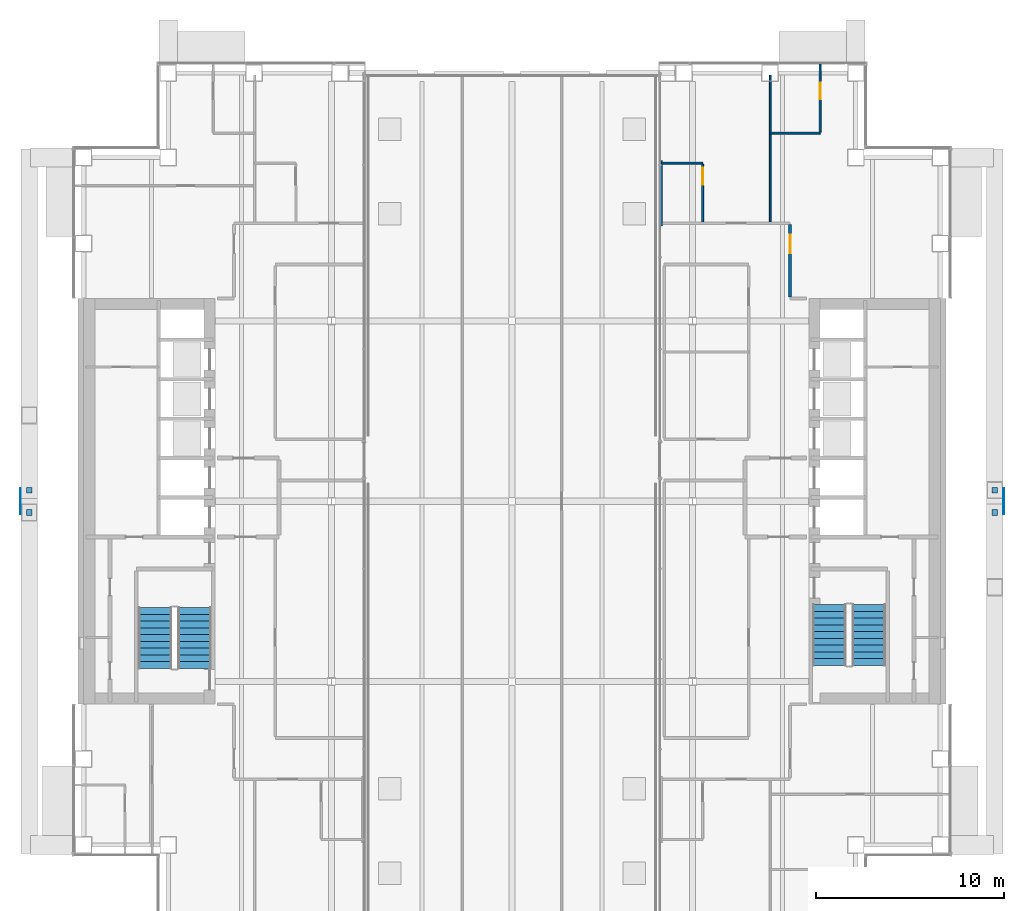
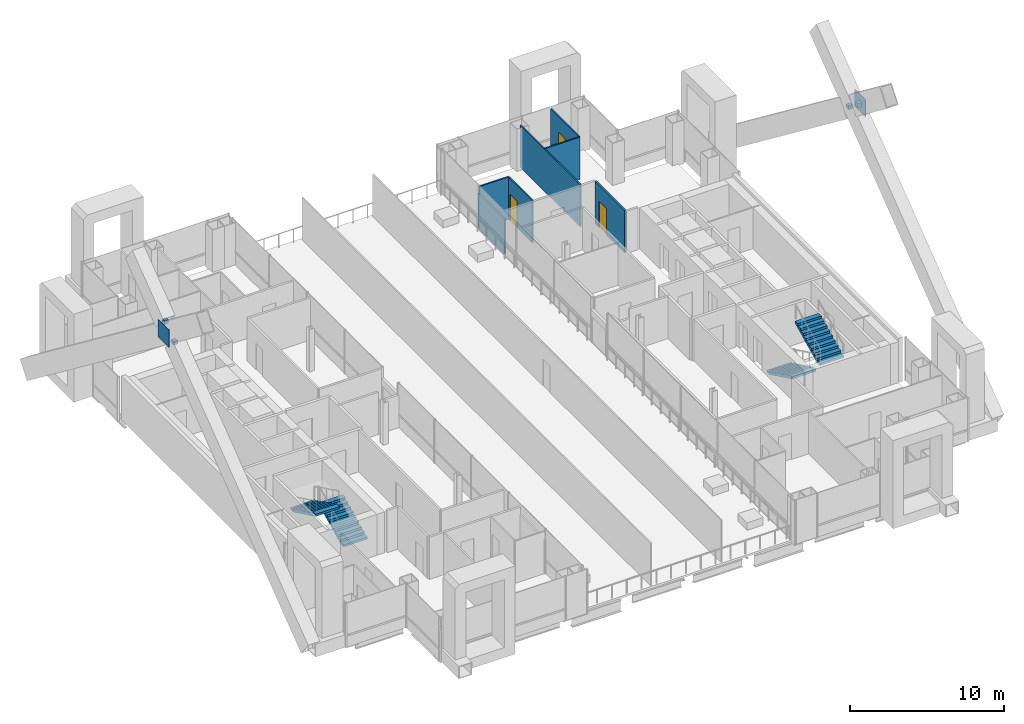
# One storey, part 16 of 20: 7 walls, 6 discrete accessories, 4 stair flights, 3 doors, 3 openings, 2 elements without a shape of their own.
"""IFC4 building model written with IfcOpenShell, lengths in metres."""

from ifc_helpers import new_model, si_unit, direction, frame, frame_2d, origin, origin_2d, place, context, subcontext, project, spatial, polyline, rectangle, outline, extrude, material, layer, layer_set, type_object, element, fill, aggregate, save


model = new_model("IFC4")

# Units and contexts
model_context = context("Model", 3, precision=1e-05, world=origin(), true_north=direction((0.0, 1.0)))
body_context = subcontext(model_context, "Body", "Model", "MODEL_VIEW")
ifc_project = project(units=[si_unit("LENGTHUNIT", "METRE"), si_unit("AREAUNIT", "SQUARE_METRE"), si_unit("VOLUMEUNIT", "CUBIC_METRE"), si_unit("PLANEANGLEUNIT", "RADIAN"), si_unit("MASSUNIT", "GRAM", prefix="KILO")], contexts=[model_context])

# Site, building, storey
site_placement = place(None, origin())
site = spatial("IfcSite", under=ifc_project, at=site_placement, CompositionType="ELEMENT")
building_placement = place(site_placement, origin())
building = spatial("IfcBuilding", under=site, at=building_placement, Name="Cobrizo Arcos Hotel Tower", CompositionType="ELEMENT")
storey_placement = place(building_placement, frame((0.0, 0.0, 117.0)))
storey = spatial("IfcBuildingStorey", under=building, at=storey_placement, Name="L29", CompositionType="ELEMENT", Elevation=117.0)

# Wall, opening, door
ifc_material_1 = material(Name="Gypsum board partition")
ifc_layer_1 = layer(ifc_material_1, 0.14990234375)
ifc_layer_set_1 = layer_set([ifc_layer_1], Name="Corridor wall EI 60 150")
wall_type_1 = type_object("IfcWallType", Name="Corridor wall EI 60 150", PredefinedType="PARTITIONING", material=ifc_layer_set_1)
wall_1_placement = place(storey_placement, frame((14.800048828125, 10.875, 0.0), z_axis=(0.0, 0.0, 1.0), x_axis=(0.0, 1.0, 0.0)))
wall_1 = element("IfcWall", 1, at=wall_1_placement, inside=storey, type_object=wall_type_1, Name="Partition 082", PredefinedType="PARTITIONING", context=body_context, shape_type="SweptSolid", body=[
    extrude(rectangle(XDim=3.85009765625, YDim=0.14990234375, at=frame_2d((1.925048828125, 0.0))), origin(), (0.0, 0.0, 1.0), 3.35009765625),
])
opening_1_placement = place(wall_1_placement, frame((2.324951171875, 0.0, 0.0)))
opening_1 = element("IfcOpeningElement", 2, at=opening_1_placement, cuts=wall_1, Name="Opening GD-08", PredefinedType="OPENING", context=body_context, shape_type="SweptSolid", body=[
    extrude(rectangle(XDim=1.0, YDim=2.10009765625, at=frame_2d((0.5, 1.050048828125))), frame((0.0, 0.0869140625, 0.0), z_axis=(0.0, -1.0, 0.0), x_axis=(1.0, 0.0, 0.0)), (0.0, 0.0, 1.0), 0.173828125),
])
ifc_material_2 = material(Name="Timber door leaf", Category="wood")
door_type_1 = type_object("IfcDoorType", Name="Guest room door FD30S 1000x2100", OperationType="SINGLE_SWING_LEFT", PredefinedType="DOOR", material=ifc_material_2)
door_1_placement = place(opening_1_placement, origin())
door_1 = element("IfcDoor", 3, at=door_1_placement, inside=storey, type_object=door_type_1, Name="Door GD-08", OperationType="SINGLE_SWING_LEFT", OverallHeight=2.10009765625, OverallWidth=1.0, PredefinedType="DOOR", context=body_context, shape_type="SweptSolid", body=[
    extrude(rectangle(XDim=1.0, YDim=2.10009765625, at=frame_2d((0.5, 1.050048828125))), frame((0.0, 0.02490234375, 0.0), z_axis=(0.0, -1.0, 0.0), x_axis=(1.0, 0.0, 0.0)), (0.0, 0.0, 1.0), 0.050048828125),
])
fill(opening_1, door_1)

# Walls
ifc_layer_2 = layer(ifc_material_1, 0.10009765625)
ifc_layer_set_2 = layer_set([ifc_layer_2], Name="Partition EI 30 100")
wall_type_2 = type_object("IfcWallType", Name="Partition EI 30 100", PredefinedType="PARTITIONING", material=ifc_layer_set_2)
wall_2_placement = place(storey_placement, frame((7.949951171875, 18.0, 0.0), z_axis=(0.0, 0.0, 1.0), x_axis=(1.0, 0.0, 0.0)))
element("IfcWall", 4, at=wall_2_placement, inside=storey, type_object=wall_type_2, Name="Partition 049", PredefinedType="PARTITIONING", context=body_context, shape_type="SweptSolid", body=[
    extrude(rectangle(XDim=2.199951171875, YDim=0.10009765625, at=frame_2d((1.10009765625, 0.0))), origin(), (0.0, 0.0, 1.0), 3.35009765625),
])
wall_3_placement = place(storey_placement, frame((13.75, 19.60009765625, 0.0), z_axis=(0.0, 0.0, 1.0), x_axis=(1.0, 0.0, 0.0)))
element("IfcWall", 5, at=wall_3_placement, inside=storey, type_object=wall_type_2, Name="Partition 051", PredefinedType="PARTITIONING", context=body_context, shape_type="SweptSolid", body=[
    extrude(rectangle(XDim=2.64990234375, YDim=0.10009765625, at=frame_2d((1.324951171875, 0.0))), origin(), (0.0, 0.0, 1.0), 3.35009765625),
])
wall_4_placement = place(storey_placement, frame((7.949951171875, 14.659912109375, 0.0), z_axis=(0.0, 0.0, 1.0), x_axis=(0.0, 1.0, 0.0)))
element("IfcWall", 6, at=wall_4_placement, inside=storey, type_object=wall_type_2, Name="Partition 071", PredefinedType="PARTITIONING", context=body_context, shape_type="SweptSolid", body=[
    extrude(rectangle(XDim=3.47998046875, YDim=0.10009765625, at=frame_2d((1.739990234375, 0.0))), origin(), (0.0, 0.0, 1.0), 2.73291015625),
])

# Wall, opening, door
wall_5_placement = place(storey_placement, frame((10.14990234375, 14.875, 0.0), z_axis=(0.0, 0.0, 1.0), x_axis=(0.0, 1.0, 0.0)))
wall_5 = element("IfcWall", 7, at=wall_5_placement, inside=storey, type_object=wall_type_2, Name="Partition 075", PredefinedType="PARTITIONING", context=body_context, shape_type="SweptSolid", body=[
    extrude(rectangle(XDim=3.074951171875, YDim=0.10009765625, at=frame_2d((1.53759765625, 0.0))), origin(), (0.0, 0.0, 1.0), 3.35009765625),
])
opening_2_placement = place(wall_5_placement, frame((1.970947265625, 0.0, 0.0)))
opening_2 = element("IfcOpeningElement", 8, at=opening_2_placement, cuts=wall_5, Name="Opening ED-03", PredefinedType="OPENING", context=body_context, shape_type="SweptSolid", body=[
    extrude(rectangle(XDim=0.89990234375, YDim=2.10009765625, at=frame_2d((0.449951171875, 1.050048828125))), frame((0.0, 0.06201171875, 0.0), z_axis=(0.0, -1.0, 0.0), x_axis=(1.0, 0.0, 0.0)), (0.0, 0.0, 1.0), 0.1240234375),
])
door_type_2 = type_object("IfcDoorType", Name="En-suite door 900x2100", OperationType="SINGLE_SWING_LEFT", PredefinedType="DOOR", material=ifc_material_2)
door_2_placement = place(opening_2_placement, origin())
door_2 = element("IfcDoor", 9, at=door_2_placement, inside=storey, type_object=door_type_2, Name="Door ED-03", OperationType="SINGLE_SWING_RIGHT", OverallHeight=2.10009765625, OverallWidth=0.89990234375, PredefinedType="DOOR", context=body_context, shape_type="SweptSolid", body=[
    extrude(rectangle(XDim=0.89990234375, YDim=2.10009765625, at=frame_2d((0.449951171875, 1.050048828125))), frame((0.0, 0.02490234375, 0.0), z_axis=(0.0, -1.0, 0.0), x_axis=(1.0, 0.0, 0.0)), (0.0, 0.0, 1.0), 0.050048828125),
])
fill(opening_2, door_2)

# Wall
wall_6_placement = place(storey_placement, frame((13.75, 14.875, 0.0), z_axis=(0.0, 0.0, 1.0), x_axis=(0.0, 1.0, 0.0)))
element("IfcWall", 10, at=wall_6_placement, inside=storey, type_object=wall_type_2, Name="Partition 080", PredefinedType="PARTITIONING", context=body_context, shape_type="SweptSolid", body=[
    extrude(rectangle(XDim=7.804931640625, YDim=0.10009765625, at=frame_2d((3.90234375, 0.0))), origin(), (0.0, 0.0, 1.0), 3.35009765625),
])

# Wall, opening, door
wall_7_placement = place(storey_placement, frame((16.39990234375, 19.64990234375, 0.0), z_axis=(0.0, 0.0, 1.0), x_axis=(0.0, 1.0, 0.0)))
wall_7 = element("IfcWall", 11, at=wall_7_placement, inside=storey, type_object=wall_type_2, Name="Partition 084", PredefinedType="PARTITIONING", context=body_context, shape_type="SweptSolid", body=[
    extrude(rectangle(XDim=3.630126953125, YDim=0.10009765625, at=frame_2d((1.81494140625, 0.0))), origin(), (0.0, 0.0, 1.0), 3.35009765625),
])
opening_3_placement = place(wall_7_placement, frame((1.739990234375, 0.0, 0.0)))
opening_3 = element("IfcOpeningElement", 12, at=opening_3_placement, cuts=wall_7, Name="Opening ED-10", PredefinedType="OPENING", context=body_context, shape_type="SweptSolid", body=[
    extrude(rectangle(XDim=0.89990234375, YDim=2.10009765625, at=frame_2d((0.449951171875, 1.050048828125))), frame((0.0, 0.06201171875, 0.0), z_axis=(0.0, -1.0, 0.0), x_axis=(1.0, 0.0, 0.0)), (0.0, 0.0, 1.0), 0.1240234375),
])
door_3_placement = place(opening_3_placement, origin())
door_3 = element("IfcDoor", 13, at=door_3_placement, inside=storey, type_object=door_type_2, Name="Door ED-10", OperationType="SINGLE_SWING_RIGHT", OverallHeight=2.10009765625, OverallWidth=0.89990234375, PredefinedType="DOOR", context=body_context, shape_type="SweptSolid", body=[
    extrude(rectangle(XDim=0.89990234375, YDim=2.10009765625, at=frame_2d((0.449951171875, 1.050048828125))), frame((0.0, 0.02490234375, 0.0), z_axis=(0.0, -1.0, 0.0), x_axis=(1.0, 0.0, 0.0)), (0.0, 0.0, 1.0), 0.050048828125),
])
fill(opening_3, door_3)

# Stair, stair flights
ifc_material_3 = material(Name="Concrete f'c 40 MPa", Category="concrete")
stair_type = type_object("IfcStairType", Name="Exit stair", PredefinedType="HALF_TURN_STAIR", material=ifc_material_3)
stair_1_placement = place(storey_placement, origin())
stair_1 = element("IfcStair", 14, at=stair_1_placement, inside=storey, type_object=stair_type, Name="L29 Exit stair ST-W", PredefinedType="HALF_TURN_STAIR")
stair_flight_type = type_object("IfcStairFlightType", Name="Exit stair flight", PredefinedType="STRAIGHT", material=ifc_material_3)
stair_flight_1_placement = place(storey_placement, frame((-16.89990234375, -8.89990234375, 0.0), z_axis=(0.0, 0.0, 1.0), x_axis=(0.0, 1.0, 0.0)))
stair_flight_1 = element("IfcStairFlight", 15, at=stair_flight_1_placement, type_object=stair_flight_type, Name="ST-W flight 1", NumberOfRisers=10, NumberOfTreads=9, PredefinedType="STRAIGHT", RiserHeight=0.175, TreadLength=0.36, context=body_context, shape_type="SweptSolid", body=[
    extrude(outline(polyline([(0.0, 0.0), (0.0, 0.175048828125), (0.360107421875, 0.175048828125), (0.360107421875, 0.35009765625), (0.719970703125, 0.35009765625), (0.719970703125, 0.52490234375), (1.080078125, 0.52490234375), (1.080078125, 0.699951171875), (1.43994140625, 0.699951171875), (1.43994140625, 0.875), (1.800048828125, 0.875), (1.800048828125, 1.050048828125), (2.159912109375, 1.050048828125), (2.159912109375, 1.22509765625), (2.52001953125, 1.22509765625), (2.52001953125, 1.39990234375), (2.8798828125, 1.39990234375), (2.8798828125, 1.574951171875), (3.239990234375, 1.574951171875), (3.239990234375, 1.75), (3.239990234375, 1.408203125), (0.3427734375, 0.0), (0.0, 0.0)])), frame((0.0, 0.89990234375, 0.0), z_axis=(0.0, -1.0, 0.0), x_axis=(1.0, 0.0, 0.0)), (0.0, 0.0, 1.0), 1.800048828125),
])
stair_flight_2_placement = place(storey_placement, frame((-19.0, -5.659912109375, 1.75), z_axis=(0.0, 0.0, 1.0), x_axis=(0.0, -1.0, 0.0)))
stair_flight_2 = element("IfcStairFlight", 16, at=stair_flight_2_placement, type_object=stair_flight_type, Name="ST-W flight 2", NumberOfRisers=10, NumberOfTreads=9, PredefinedType="STRAIGHT", RiserHeight=0.175, TreadLength=0.36, context=body_context, shape_type="SweptSolid", body=[
    extrude(outline(polyline([(0.0, 0.0), (0.0, 0.175048828125), (0.360107421875, 0.175048828125), (0.360107421875, 0.35009765625), (0.719970703125, 0.35009765625), (0.719970703125, 0.52490234375), (1.080078125, 0.52490234375), (1.080078125, 0.699951171875), (1.43994140625, 0.699951171875), (1.43994140625, 0.875), (1.800048828125, 0.875), (1.800048828125, 1.050048828125), (2.159912109375, 1.050048828125), (2.159912109375, 1.22509765625), (2.52001953125, 1.22509765625), (2.52001953125, 1.39990234375), (2.8798828125, 1.39990234375), (2.8798828125, 1.574951171875), (3.239990234375, 1.574951171875), (3.239990234375, 1.75), (3.239990234375, 1.408203125), (0.3427734375, 0.0), (0.0, 0.0)])), frame((0.0, 0.89990234375, 0.0), z_axis=(0.0, -1.0, 0.0), x_axis=(1.0, 0.0, 0.0)), (0.0, 0.0, 1.0), 1.800048828125),
])
aggregate(stair_1, [stair_flight_1, stair_flight_2])

stair_2_placement = place(storey_placement, origin())
stair_2 = element("IfcStair", 17, at=stair_2_placement, inside=storey, type_object=stair_type, Name="L29 Exit stair ST-E", PredefinedType="HALF_TURN_STAIR")
stair_flight_3_placement = place(storey_placement, frame((16.89990234375, -5.5, 0.0), z_axis=(0.0, 0.0, 1.0), x_axis=(0.0, -1.0, 0.0)))
stair_flight_3 = element("IfcStairFlight", 18, at=stair_flight_3_placement, type_object=stair_flight_type, Name="ST-E flight 1", NumberOfRisers=10, NumberOfTreads=9, PredefinedType="STRAIGHT", RiserHeight=0.175, TreadLength=0.36, context=body_context, shape_type="SweptSolid", body=[
    extrude(outline(polyline([(0.0, 0.0), (0.0, 0.175048828125), (0.360107421875, 0.175048828125), (0.360107421875, 0.35009765625), (0.719970703125, 0.35009765625), (0.719970703125, 0.52490234375), (1.080078125, 0.52490234375), (1.080078125, 0.699951171875), (1.43994140625, 0.699951171875), (1.43994140625, 0.875), (1.800048828125, 0.875), (1.800048828125, 1.050048828125), (2.159912109375, 1.050048828125), (2.159912109375, 1.22509765625), (2.52001953125, 1.22509765625), (2.52001953125, 1.39990234375), (2.8798828125, 1.39990234375), (2.8798828125, 1.574951171875), (3.239990234375, 1.574951171875), (3.239990234375, 1.75), (3.239990234375, 1.408203125), (0.3427734375, 0.0), (0.0, 0.0)])), frame((0.0, 0.89990234375, 0.0), z_axis=(0.0, -1.0, 0.0), x_axis=(1.0, 0.0, 0.0)), (0.0, 0.0, 1.0), 1.800048828125),
])
stair_flight_4_placement = place(storey_placement, frame((19.0, -8.739990234375, 1.75), z_axis=(0.0, 0.0, 1.0), x_axis=(0.0, 1.0, 0.0)))
stair_flight_4 = element("IfcStairFlight", 19, at=stair_flight_4_placement, type_object=stair_flight_type, Name="ST-E flight 2", NumberOfRisers=10, NumberOfTreads=9, PredefinedType="STRAIGHT", RiserHeight=0.175, TreadLength=0.36, context=body_context, shape_type="SweptSolid", body=[
    extrude(outline(polyline([(0.0, 0.0), (0.0, 0.175048828125), (0.360107421875, 0.175048828125), (0.360107421875, 0.35009765625), (0.719970703125, 0.35009765625), (0.719970703125, 0.52490234375), (1.080078125, 0.52490234375), (1.080078125, 0.699951171875), (1.43994140625, 0.699951171875), (1.43994140625, 0.875), (1.800048828125, 0.875), (1.800048828125, 1.050048828125), (2.159912109375, 1.050048828125), (2.159912109375, 1.22509765625), (2.52001953125, 1.22509765625), (2.52001953125, 1.39990234375), (2.8798828125, 1.39990234375), (2.8798828125, 1.574951171875), (3.239990234375, 1.574951171875), (3.239990234375, 1.75), (3.239990234375, 1.408203125), (0.3427734375, 0.0), (0.0, 0.0)])), frame((0.0, 0.89990234375, 0.0), z_axis=(0.0, -1.0, 0.0), x_axis=(1.0, 0.0, 0.0)), (0.0, 0.0, 1.0), 1.800048828125),
])
aggregate(stair_2, [stair_flight_3, stair_flight_4])

# Discrete accessories
ifc_material_4 = material(Name="Steel ASTM A572 Grade 50", Category="steel")
discrete_accessory_type_1 = type_object("IfcDiscreteAccessoryType", Name="GP-1 gusset plate 1400x1400x40", PredefinedType="BRACKET", material=ifc_material_4)
for number, where, z_axis, x_axis, name in (
    (20, (26.169921875, 0.0, 13.800048828125), (0.0, 0.0, 1.0), (1.0, 0.0, 0.0), "Gusset plate br-Z2-E-04"),
    (21, (-26.169921875, 0.0, 13.800048828125), (0.0, 0.0, 1.0), (1.0, 0.0, 0.0), "Gusset plate br-Z2-W-04"),
):
    element("IfcDiscreteAccessory", number, at=place(storey_placement, frame(where, z_axis=z_axis, x_axis=x_axis)), inside=storey, type_object=discrete_accessory_type_1, Name=name, PredefinedType="BRACKET", context=body_context, shape_type="SweptSolid", body=[
        extrude(rectangle(XDim=0.0400390625, YDim=1.39990234375, at=origin_2d()), origin(), (0.0, 0.0, 1.0), 1.39990234375),
    ])
discrete_accessory_type_2 = type_object("IfcDiscreteAccessoryType", Name="GP-5 brace end plate 300x300x300", PredefinedType="BRACKET", material=ifc_material_4)
for number, where, z_axis, x_axis, name in (
    (22, (25.699951171875, 0.59326171875, 13.89599609375), (0.0, 0.0, 1.0), (1.0, 0.0, 0.0), "Brace end plate"),
    (23, (25.699951171875, -0.59326171875, 14.8037109375), (0.0, 0.0, 1.0), (1.0, 0.0, 0.0), "Brace end plate"),
    (24, (-25.699951171875, -0.59326171875, 13.89599609375), (0.0, 0.0, 1.0), (1.0, 0.0, 0.0), "Brace end plate"),
    (25, (-25.699951171875, 0.59326171875, 14.8037109375), (0.0, 0.0, 1.0), (1.0, 0.0, 0.0), "Brace end plate"),
):
    element("IfcDiscreteAccessory", number, at=place(storey_placement, frame(where, z_axis=z_axis, x_axis=x_axis)), inside=storey, type_object=discrete_accessory_type_2, Name=name, PredefinedType="BRACKET", context=body_context, shape_type="SweptSolid", body=[
        extrude(rectangle(XDim=0.300048828125, YDim=0.300048828125, at=origin_2d()), origin(), (0.0, 0.0, 1.0), 0.300048828125),
    ])

save(model, "model.ifc")
